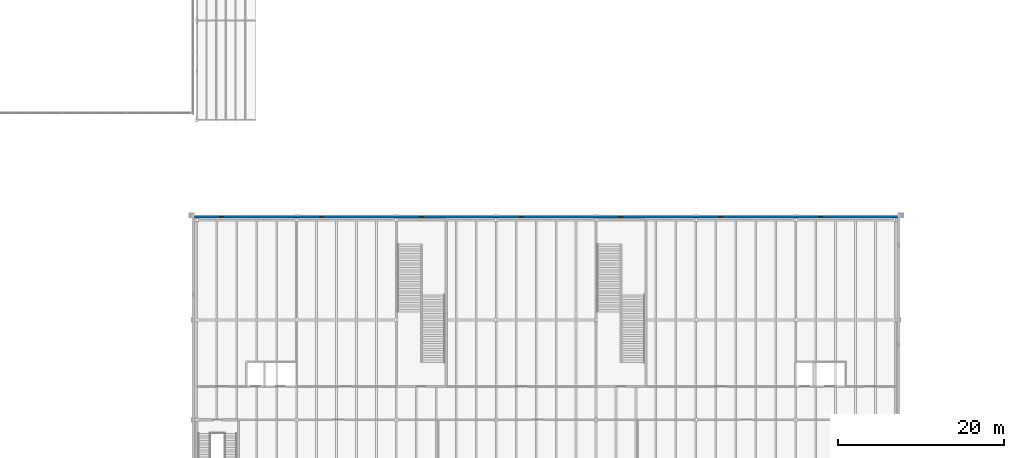
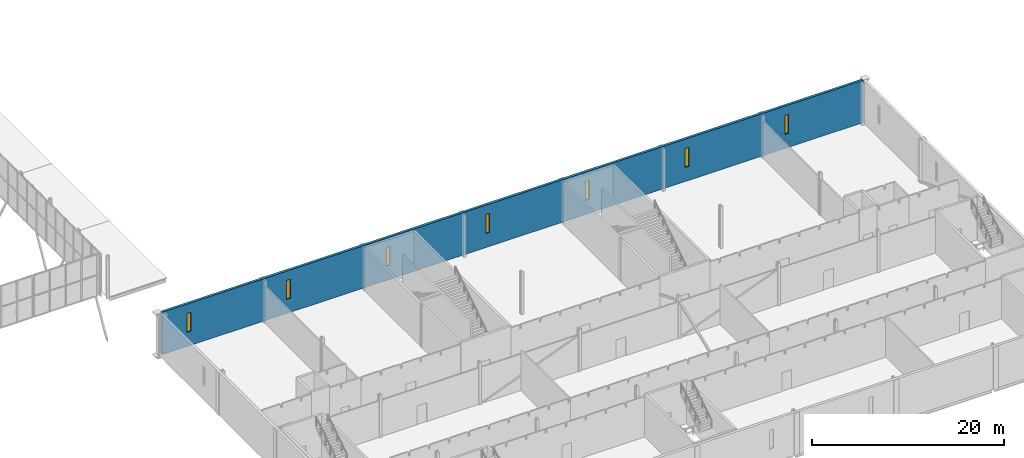
# One storey, part 107 of 170: 7 windows, 1 wall, 7 openings.
"""IFC4 building model written with IfcOpenShell, lengths in metres."""

from ifc_helpers import new_model, si_unit, direction, frame, frame_2d, origin, place, context, subcontext, project, spatial, rectangle, extrude, material, layer, layer_set, type_object, element, fill, save


model = new_model("IFC4")

# Units and contexts
model_context = context("Model", 3, precision=1e-05, world=origin(), true_north=direction((0.0, 1.0)))
body_context = subcontext(model_context, "Body", "Model", "MODEL_VIEW")
ifc_project = project(units=[si_unit("LENGTHUNIT", "METRE"), si_unit("AREAUNIT", "SQUARE_METRE"), si_unit("VOLUMEUNIT", "CUBIC_METRE"), si_unit("PLANEANGLEUNIT", "RADIAN"), si_unit("MASSUNIT", "GRAM", prefix="KILO")], contexts=[model_context])

# Site, building, storey
site_placement = place(None, origin())
site = spatial("IfcSite", under=ifc_project, at=site_placement, CompositionType="ELEMENT")
building_placement = place(site_placement, origin())
building = spatial("IfcBuilding", under=site, at=building_placement, Name="Ravi Spectrum Wholesale Market", CompositionType="ELEMENT")
storey_placement = place(building_placement, frame((0.0, 0.0, 5.39990234375)))
storey = spatial("IfcBuildingStorey", under=building, at=storey_placement, Name="L01", CompositionType="ELEMENT", Elevation=5.39990234375)

# Wall, openings, windows
ifc_material_1 = material(Name="Brick-faced insulated panel", Category="masonry")
ifc_layer = layer(ifc_material_1, 0.300048828125)
ifc_layer_set = layer_set([ifc_layer], Name="Brick-faced insulated panel")
wall_type = type_object("IfcWallType", Name="Brick faced insulated panel 300", PredefinedType="SOLIDWALL", material=ifc_layer_set)
wall_placement = place(storey_placement, frame((282.25, 66.39990234375, 0.0), z_axis=(0.0, 0.0, 1.0), x_axis=(-1.0, 0.0, 0.0)))
wall = element("IfcWall", 1, at=wall_placement, inside=storey, type_object=wall_type, Name="CS-WL-L01-070", PredefinedType="SOLIDWALL", context=body_context, shape_type="SweptSolid", body=[
    extrude(rectangle(XDim=84.5, YDim=0.300048828125, at=frame_2d((42.25, 0.0))), origin(), (0.0, 0.0, 1.0), 5.400146484375),
])
opening_1_placement = place(wall_placement, frame((9.02490234375, 0.0, 1.800048828125)))
opening_1 = element("IfcOpeningElement", 2, at=opening_1_placement, cuts=wall, Name="Opening W2626", PredefinedType="OPENING", context=body_context, shape_type="SweptSolid", body=[
    extrude(rectangle(XDim=0.449951171875, YDim=2.39990234375, at=frame_2d((0.22509765625, 1.199951171875))), frame((0.0, 0.159912109375, 0.0), z_axis=(0.0, -1.0, 0.0), x_axis=(1.0, 0.0, 0.0)), (0.0, 0.0, 1.0), 0.320068359375),
])
opening_2_placement = place(wall_placement, frame((21.02490234375, 0.0, 1.800048828125)))
opening_2 = element("IfcOpeningElement", 3, at=opening_2_placement, cuts=wall, Name="Opening W2627", PredefinedType="OPENING", context=body_context, shape_type="SweptSolid", body=[
    extrude(rectangle(XDim=0.449951171875, YDim=2.39990234375, at=frame_2d((0.22509765625, 1.199951171875))), frame((0.0, 0.159912109375, 0.0), z_axis=(0.0, -1.0, 0.0), x_axis=(1.0, 0.0, 0.0)), (0.0, 0.0, 1.0), 0.320068359375),
])
opening_3_placement = place(wall_placement, frame((33.02490234375, 0.0, 1.800048828125)))
opening_3 = element("IfcOpeningElement", 4, at=opening_3_placement, cuts=wall, Name="Opening W2628", PredefinedType="OPENING", context=body_context, shape_type="SweptSolid", body=[
    extrude(rectangle(XDim=0.449951171875, YDim=2.39990234375, at=frame_2d((0.22509765625, 1.199951171875))), frame((0.0, 0.159912109375, 0.0), z_axis=(0.0, -1.0, 0.0), x_axis=(1.0, 0.0, 0.0)), (0.0, 0.0, 1.0), 0.320068359375),
])
opening_4_placement = place(wall_placement, frame((45.02490234375, 0.0, 1.800048828125)))
opening_4 = element("IfcOpeningElement", 5, at=opening_4_placement, cuts=wall, Name="Opening W2629", PredefinedType="OPENING", context=body_context, shape_type="SweptSolid", body=[
    extrude(rectangle(XDim=0.449951171875, YDim=2.39990234375, at=frame_2d((0.22509765625, 1.199951171875))), frame((0.0, 0.159912109375, 0.0), z_axis=(0.0, -1.0, 0.0), x_axis=(1.0, 0.0, 0.0)), (0.0, 0.0, 1.0), 0.320068359375),
])
opening_5_placement = place(wall_placement, frame((57.02490234375, 0.0, 1.800048828125)))
opening_5 = element("IfcOpeningElement", 6, at=opening_5_placement, cuts=wall, Name="Opening W2630", PredefinedType="OPENING", context=body_context, shape_type="SweptSolid", body=[
    extrude(rectangle(XDim=0.449951171875, YDim=2.39990234375, at=frame_2d((0.22509765625, 1.199951171875))), frame((0.0, 0.159912109375, 0.0), z_axis=(0.0, -1.0, 0.0), x_axis=(1.0, 0.0, 0.0)), (0.0, 0.0, 1.0), 0.320068359375),
])
opening_6_placement = place(wall_placement, frame((69.02490234375, 0.0, 1.800048828125)))
opening_6 = element("IfcOpeningElement", 7, at=opening_6_placement, cuts=wall, Name="Opening W2631", PredefinedType="OPENING", context=body_context, shape_type="SweptSolid", body=[
    extrude(rectangle(XDim=0.449951171875, YDim=2.39990234375, at=frame_2d((0.22509765625, 1.199951171875))), frame((0.0, 0.159912109375, 0.0), z_axis=(0.0, -1.0, 0.0), x_axis=(1.0, 0.0, 0.0)), (0.0, 0.0, 1.0), 0.320068359375),
])
opening_7_placement = place(wall_placement, frame((81.02490234375, 0.0, 1.800048828125)))
opening_7 = element("IfcOpeningElement", 8, at=opening_7_placement, cuts=wall, Name="Opening W2632", PredefinedType="OPENING", context=body_context, shape_type="SweptSolid", body=[
    extrude(rectangle(XDim=0.449951171875, YDim=2.39990234375, at=frame_2d((0.22509765625, 1.199951171875))), frame((0.0, 0.159912109375, 0.0), z_axis=(0.0, -1.0, 0.0), x_axis=(1.0, 0.0, 0.0)), (0.0, 0.0, 1.0), 0.320068359375),
])
ifc_material_2 = material(Name="Steel window frame", Category="steel")
window_type = type_object("IfcWindowType", Name="Slot window 450 x 2400", PartitioningType="SINGLE_PANEL", PredefinedType="WINDOW", material=ifc_material_2)
window_1_placement = place(opening_1_placement, origin())
window_1 = element("IfcWindow", 9, at=window_1_placement, inside=storey, type_object=window_type, Name="Window W2626", OverallHeight=2.39990234375, OverallWidth=0.449951171875, PartitioningType="SINGLE_PANEL", PredefinedType="WINDOW", context=body_context, shape_type="SweptSolid", body=[
    extrude(rectangle(XDim=0.449951171875, YDim=2.39990234375, at=frame_2d((0.22509765625, 1.199951171875))), frame((0.0, 0.030029296875, 0.0), z_axis=(0.0, -1.0, 0.0), x_axis=(1.0, 0.0, 0.0)), (0.0, 0.0, 1.0), 0.06005859375),
])
fill(opening_1, window_1)
window_2_placement = place(opening_2_placement, origin())
window_2 = element("IfcWindow", 10, at=window_2_placement, inside=storey, type_object=window_type, Name="Window W2627", OverallHeight=2.39990234375, OverallWidth=0.449951171875, PartitioningType="SINGLE_PANEL", PredefinedType="WINDOW", context=body_context, shape_type="SweptSolid", body=[
    extrude(rectangle(XDim=0.449951171875, YDim=2.39990234375, at=frame_2d((0.22509765625, 1.199951171875))), frame((0.0, 0.030029296875, 0.0), z_axis=(0.0, -1.0, 0.0), x_axis=(1.0, 0.0, 0.0)), (0.0, 0.0, 1.0), 0.06005859375),
])
fill(opening_2, window_2)
window_3_placement = place(opening_3_placement, origin())
window_3 = element("IfcWindow", 11, at=window_3_placement, inside=storey, type_object=window_type, Name="Window W2628", OverallHeight=2.39990234375, OverallWidth=0.449951171875, PartitioningType="SINGLE_PANEL", PredefinedType="WINDOW", context=body_context, shape_type="SweptSolid", body=[
    extrude(rectangle(XDim=0.449951171875, YDim=2.39990234375, at=frame_2d((0.22509765625, 1.199951171875))), frame((0.0, 0.030029296875, 0.0), z_axis=(0.0, -1.0, 0.0), x_axis=(1.0, 0.0, 0.0)), (0.0, 0.0, 1.0), 0.06005859375),
])
fill(opening_3, window_3)
window_4_placement = place(opening_4_placement, origin())
window_4 = element("IfcWindow", 12, at=window_4_placement, inside=storey, type_object=window_type, Name="Window W2629", OverallHeight=2.39990234375, OverallWidth=0.449951171875, PartitioningType="SINGLE_PANEL", PredefinedType="WINDOW", context=body_context, shape_type="SweptSolid", body=[
    extrude(rectangle(XDim=0.449951171875, YDim=2.39990234375, at=frame_2d((0.22509765625, 1.199951171875))), frame((0.0, 0.030029296875, 0.0), z_axis=(0.0, -1.0, 0.0), x_axis=(1.0, 0.0, 0.0)), (0.0, 0.0, 1.0), 0.06005859375),
])
fill(opening_4, window_4)
window_5_placement = place(opening_5_placement, origin())
window_5 = element("IfcWindow", 13, at=window_5_placement, inside=storey, type_object=window_type, Name="Window W2630", OverallHeight=2.39990234375, OverallWidth=0.449951171875, PartitioningType="SINGLE_PANEL", PredefinedType="WINDOW", context=body_context, shape_type="SweptSolid", body=[
    extrude(rectangle(XDim=0.449951171875, YDim=2.39990234375, at=frame_2d((0.22509765625, 1.199951171875))), frame((0.0, 0.030029296875, 0.0), z_axis=(0.0, -1.0, 0.0), x_axis=(1.0, 0.0, 0.0)), (0.0, 0.0, 1.0), 0.06005859375),
])
fill(opening_5, window_5)
window_6_placement = place(opening_6_placement, origin())
window_6 = element("IfcWindow", 14, at=window_6_placement, inside=storey, type_object=window_type, Name="Window W2631", OverallHeight=2.39990234375, OverallWidth=0.449951171875, PartitioningType="SINGLE_PANEL", PredefinedType="WINDOW", context=body_context, shape_type="SweptSolid", body=[
    extrude(rectangle(XDim=0.449951171875, YDim=2.39990234375, at=frame_2d((0.22509765625, 1.199951171875))), frame((0.0, 0.030029296875, 0.0), z_axis=(0.0, -1.0, 0.0), x_axis=(1.0, 0.0, 0.0)), (0.0, 0.0, 1.0), 0.06005859375),
])
fill(opening_6, window_6)
window_7_placement = place(opening_7_placement, origin())
window_7 = element("IfcWindow", 15, at=window_7_placement, inside=storey, type_object=window_type, Name="Window W2632", OverallHeight=2.39990234375, OverallWidth=0.449951171875, PartitioningType="SINGLE_PANEL", PredefinedType="WINDOW", context=body_context, shape_type="SweptSolid", body=[
    extrude(rectangle(XDim=0.449951171875, YDim=2.39990234375, at=frame_2d((0.22509765625, 1.199951171875))), frame((0.0, 0.030029296875, 0.0), z_axis=(0.0, -1.0, 0.0), x_axis=(1.0, 0.0, 0.0)), (0.0, 0.0, 1.0), 0.06005859375),
])
fill(opening_7, window_7)

save(model, "model.ifc")
